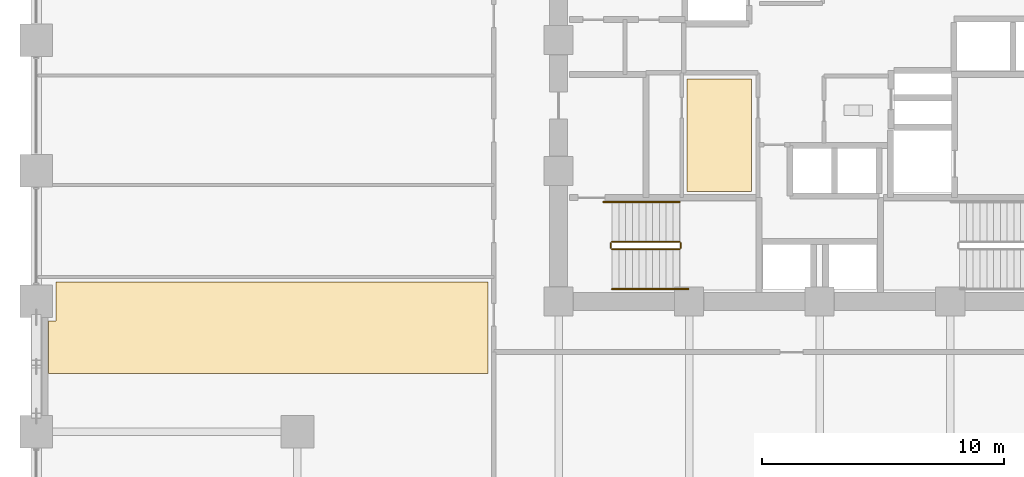
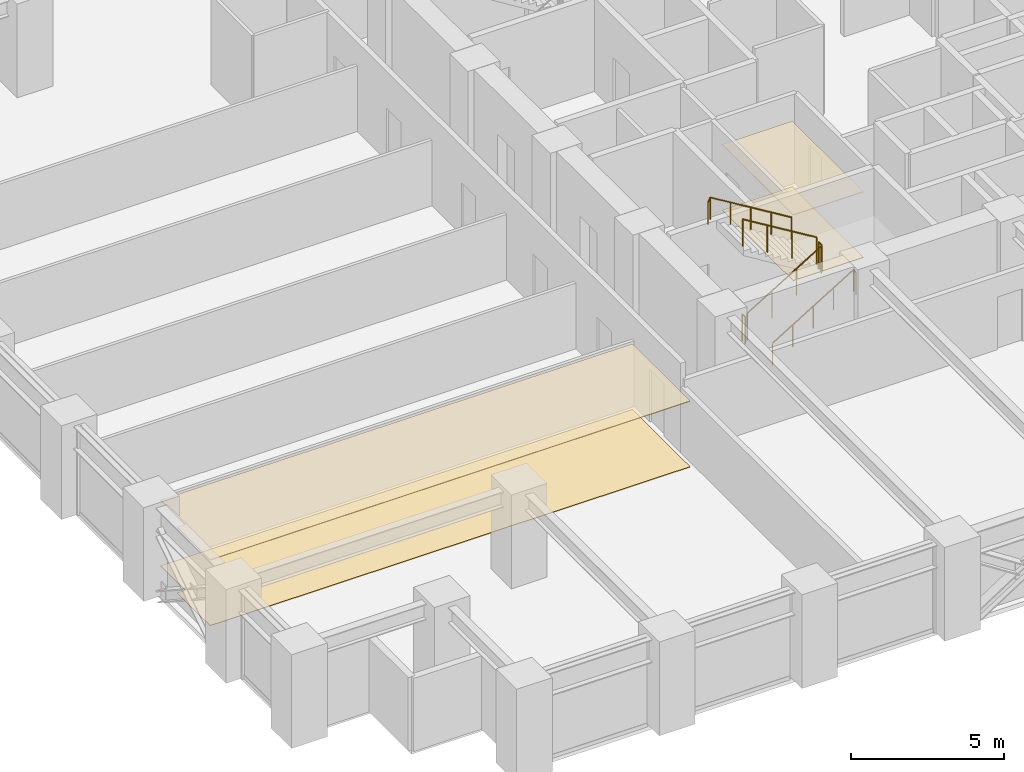
# One storey, part 23 of 25: 6 railings, 4 coverings.
"""IFC4 building model written with IfcOpenShell, lengths in metres."""

from ifc_helpers import new_model, si_unit, direction, frame, origin, origin_2d, place, context, subcontext, project, spatial, polyline, circle, outline, extrude, material, layer, layer_set, type_object, element, save


model = new_model("IFC4")

# Units and contexts
model_context = context("Model", 3, precision=1e-05, world=origin(), true_north=direction((0.0, 1.0)))
body_context = subcontext(model_context, "Body", "Model", "MODEL_VIEW")
ifc_project = project(units=[si_unit("LENGTHUNIT", "METRE"), si_unit("AREAUNIT", "SQUARE_METRE"), si_unit("VOLUMEUNIT", "CUBIC_METRE"), si_unit("PLANEANGLEUNIT", "RADIAN"), si_unit("MASSUNIT", "GRAM", prefix="KILO")], contexts=[model_context])

# Site, building, storey
site_placement = place(None, origin())
site = spatial("IfcSite", under=ifc_project, at=site_placement, CompositionType="ELEMENT")
building_placement = place(site_placement, origin())
building = spatial("IfcBuilding", under=site, at=building_placement, Name="Surkhivell Harbour Commons", CompositionType="ELEMENT")
storey_placement = place(building_placement, frame((0.0, 0.0, 33.75)))
storey = spatial("IfcBuildingStorey", under=building, at=storey_placement, Name="L08", CompositionType="ELEMENT", Elevation=33.75)

# Coverings
ifc_material_1 = material(Name="Perforated acoustic mineral-fibre ceiling tile", Category="other")
ifc_layer_1 = layer(ifc_material_1, 0.02490234375)
ifc_layer_set_1 = layer_set([ifc_layer_1], Name="Perforated acoustic mineral-fibre ceiling tile")
covering_type_1 = type_object("IfcCoveringType", Name="COV-CEIL-AC", PredefinedType="CEILING", material=ifc_layer_set_1)
covering_1_placement = place(storey_placement, frame((0.0, 0.0, 2.6240234375)))
element("IfcCovering", 1, at=covering_1_placement, inside=storey, type_object=covering_type_1, Name="L08 Suspended Acoustic Ceiling 1", PredefinedType="CEILING", context=body_context, shape_type="SweptSolid", body=[
    extrude(outline(polyline([(-5.47998046875, -6.260009765625), (-2.820068359375, -6.260009765625), (-2.820068359375, -1.60009765625), (-5.47998046875, -1.60009765625), (-5.47998046875, -6.260009765625)])), origin(), (0.0, 0.0, 1.0), 0.02490234375),
])
ifc_material_2 = material(Name="Moisture-resistant gypsum acoustic ceiling board", Category="other")
ifc_layer_2 = layer(ifc_material_2, 0.030029296875)
ifc_layer_set_2 = layer_set([ifc_layer_2], Name="Moisture-resistant gypsum acoustic ceiling board")
covering_type_2 = type_object("IfcCoveringType", Name="COV-CEIL-GYP", PredefinedType="CEILING", material=ifc_layer_set_2)
covering_2_placement = place(storey_placement, frame((0.0, 0.0, 2.618896484375)))
element("IfcCovering", 2, at=covering_2_placement, inside=storey, type_object=covering_type_2, Name="L08 Suspended Acoustic Ceiling 2", PredefinedType="CEILING", context=body_context, shape_type="SweptSolid", body=[
    extrude(outline(polyline([(-31.5849609375, -10.00244140625), (-31.5849609375, -11.614990234375), (-31.889892578125, -11.614990234375), (-31.889892578125, -13.780029296875), (-13.719970703125, -13.780029296875), (-13.719970703125, -10.00244140625), (-31.5849609375, -10.00244140625)])), origin(), (0.0, 0.0, 1.0), 0.030029296875),
])
ifc_material_3 = material(Name="Engineered acoustic oak timber flooring", Category="wood")
ifc_layer_3 = layer(ifc_material_3, 0.02001953125)
ifc_layer_set_3 = layer_set([ifc_layer_3], Name="Engineered acoustic oak timber flooring")
covering_type_3 = type_object("IfcCoveringType", Name="COV-FLR-TIM", PredefinedType="FLOORING", material=ifc_layer_set_3)
covering_3_placement = place(storey_placement, origin())
element("IfcCovering", 3, at=covering_3_placement, inside=storey, type_object=covering_type_3, Name="L08 Interior Floor Finish 1", PredefinedType="FLOORING", context=body_context, shape_type="SweptSolid", body=[
    extrude(outline(polyline([(-5.47998046875, -6.260009765625), (-2.820068359375, -6.260009765625), (-2.820068359375, -1.60009765625), (-5.47998046875, -1.60009765625), (-5.47998046875, -6.260009765625)])), origin(), (0.0, 0.0, 1.0), 0.02001953125),
])
covering_4_placement = place(storey_placement, origin())
element("IfcCovering", 4, at=covering_4_placement, inside=storey, type_object=covering_type_3, Name="L08 Interior Floor Finish 2", PredefinedType="FLOORING", context=body_context, shape_type="SweptSolid", body=[
    extrude(outline(polyline([(-31.5849609375, -10.00244140625), (-31.5849609375, -11.614990234375), (-31.889892578125, -11.614990234375), (-31.889892578125, -13.780029296875), (-13.719970703125, -13.780029296875), (-13.719970703125, -10.00244140625), (-31.5849609375, -10.00244140625)])), origin(), (0.0, 0.0, 1.0), 0.02001953125),
])

# Railings
ifc_material_4 = material(Name="Galvanised and painted steel S355 guard rail", Category="steel")
railing_type_1 = type_object("IfcRailingType", Name="RAL-ST-GRD1100", PredefinedType="GUARDRAIL", material=ifc_material_4)
railing_1_placement = place(storey_placement, frame((-8.590087890625, -8.639892578125, 0.17041015625)))
element("IfcRailing", 5, at=railing_1_placement, inside=storey, type_object=railing_type_1, Name="L08 ST3 stair guard 1", PredefinedType="GUARDRAIL", context=body_context, shape_type="SweptSolid", body=[
    extrude(circle(Radius=0.02392578125, at=origin_2d()), frame((0.0, 0.0, 1.076171875), z_axis=(0.854169791009, 0.0, 0.51999420009), x_axis=(0.0, 1.0, 0.0)), (0.0, 0.0, 1.0), 3.278076171875),
    extrude(circle(Radius=0.02099609375, at=origin_2d()), origin(), (0.0, 0.0, 1.0), 1.052001953125),
    extrude(circle(Radius=0.02099609375, at=origin_2d()), frame((0.933349609375, 0.0, 0.568115234375)), (0.0, 0.0, 1.0), 1.052001953125),
    extrude(circle(Radius=0.02099609375, at=origin_2d()), frame((1.86669921875, 0.0, 1.136474609375)), (0.0, 0.0, 1.0), 1.052001953125),
    extrude(circle(Radius=0.02099609375, at=origin_2d()), frame((2.800048828125, 0.0, 1.70458984375)), (0.0, 0.0, 1.0), 1.052001953125),
])
railing_2_placement = place(storey_placement, frame((-5.739990234375, -8.590087890625, 1.875)))
element("IfcRailing", 6, at=railing_2_placement, inside=storey, type_object=railing_type_1, Name="L08 ST3 stair guard 2", PredefinedType="GUARDRAIL", context=body_context, shape_type="SweptSolid", body=[
    extrude(circle(Radius=0.02392578125, at=origin_2d()), frame((0.0, 0.0, 1.076171875), z_axis=(0.0, 1.0, 0.0), x_axis=(-1.0, 0.0, 0.0)), (0.0, 0.0, 1.0), 0.2001953125),
    extrude(circle(Radius=0.02099609375, at=origin_2d()), origin(), (0.0, 0.0, 1.0), 1.052001953125),
    extrude(circle(Radius=0.02099609375, at=origin_2d()), frame((0.0, 0.2001953125, 0.0)), (0.0, 0.0, 1.0), 1.052001953125),
])
railing_3_placement = place(storey_placement, frame((-5.7900390625, -8.340087890625, 2.04541015625)))
element("IfcRailing", 7, at=railing_3_placement, inside=storey, type_object=railing_type_1, Name="L08 ST3 stair guard 3", PredefinedType="GUARDRAIL", context=body_context, shape_type="SweptSolid", body=[
    extrude(circle(Radius=0.02392578125, at=origin_2d()), frame((0.0, 0.0, 1.076171875), z_axis=(-0.854169791009, 0.0, 0.51999420009), x_axis=(0.0, -1.0, 0.0)), (0.0, 0.0, 1.0), 3.278076171875),
    extrude(circle(Radius=0.02099609375, at=origin_2d()), origin(), (0.0, 0.0, 1.0), 1.052001953125),
    extrude(circle(Radius=0.02099609375, at=origin_2d()), frame((-0.933349609375, 0.0, 0.568115234375)), (0.0, 0.0, 1.0), 1.052001953125),
    extrude(circle(Radius=0.02099609375, at=origin_2d()), frame((-1.86669921875, 0.0, 1.136474609375)), (0.0, 0.0, 1.0), 1.052001953125),
    extrude(circle(Radius=0.02099609375, at=origin_2d()), frame((-2.800048828125, 0.0, 1.70458984375)), (0.0, 0.0, 1.0), 1.052001953125),
])
railing_4_placement = place(storey_placement, frame((-8.639892578125, -8.590087890625, 0.0)))
element("IfcRailing", 8, at=railing_4_placement, inside=storey, type_object=railing_type_1, Name="L08 ST3 stair guard 4", PredefinedType="GUARDRAIL", context=body_context, shape_type="SweptSolid", body=[
    extrude(circle(Radius=0.02392578125, at=origin_2d()), frame((0.0, 0.0, 1.076171875), z_axis=(0.0, 1.0, 0.0), x_axis=(-1.0, 0.0, 0.0)), (0.0, 0.0, 1.0), 0.2001953125),
    extrude(circle(Radius=0.02099609375, at=origin_2d()), origin(), (0.0, 0.0, 1.0), 1.052001953125),
    extrude(circle(Radius=0.02099609375, at=origin_2d()), frame((0.0, 0.2001953125, 0.0)), (0.0, 0.0, 1.0), 1.052001953125),
])
ifc_material_5 = material(Name="Brushed stainless steel S355 handrail", Category="steel")
railing_type_2 = type_object("IfcRailingType", Name="RAL-ST-HND900", PredefinedType="HANDRAIL", material=ifc_material_5)
railing_5_placement = place(storey_placement, frame((-8.590087890625, -10.2900390625, 0.17041015625)))
element("IfcRailing", 9, at=railing_5_placement, inside=storey, type_object=railing_type_2, Name="L08 ST3 stair handrail 1", PredefinedType="HANDRAIL", context=body_context, shape_type="SweptSolid", body=[
    extrude(circle(Radius=0.02392578125, at=origin_2d()), frame((0.0, 0.0, 0.8759765625), z_axis=(0.854177636135, 0.0, 0.519981313056), x_axis=(0.0, 1.0, 0.0)), (0.0, 0.0, 1.0), 3.60595703125),
    extrude(circle(Radius=0.02392578125, at=origin_2d()), frame((3.080078125, 0.0, 2.7509765625), z_axis=(0.425297416671, 0.0, -0.905053648892), x_axis=(0.0, 1.0, 0.0)), (0.0, 0.0, 1.0), 0.188232421875),
    extrude(circle(Radius=0.02099609375, at=origin_2d()), origin(), (0.0, 0.0, 1.0), 0.851806640625),
    extrude(circle(Radius=0.02099609375, at=origin_2d()), frame((0.77001953125, 0.0, 0.46875)), (0.0, 0.0, 1.0), 0.851806640625),
    extrude(circle(Radius=0.02099609375, at=origin_2d()), frame((1.5400390625, 0.0, 0.9375)), (0.0, 0.0, 1.0), 0.851806640625),
    extrude(circle(Radius=0.02099609375, at=origin_2d()), frame((2.31005859375, 0.0, 1.40625)), (0.0, 0.0, 1.0), 0.851806640625),
    extrude(circle(Radius=0.02099609375, at=origin_2d()), frame((3.080078125, 0.0, 1.875)), (0.0, 0.0, 1.0), 0.851806640625),
    extrude(circle(Radius=0.02099609375, at=origin_2d()), frame((3.16015625, 0.0, 1.70458984375)), (0.0, 0.0, 1.0), 0.851806640625),
])
railing_6_placement = place(storey_placement, frame((-5.7900390625, -6.68994140625, 2.04541015625)))
element("IfcRailing", 10, at=railing_6_placement, inside=storey, type_object=railing_type_2, Name="L08 ST3 stair handrail 2", PredefinedType="HANDRAIL", context=body_context, shape_type="SweptSolid", body=[
    extrude(circle(Radius=0.02392578125, at=origin_2d()), frame((0.0, 0.0, 0.8759765625), z_axis=(-0.854177636135, 0.0, 0.519981313056), x_axis=(0.0, -1.0, 0.0)), (0.0, 0.0, 1.0), 3.60595703125),
    extrude(circle(Radius=0.02392578125, at=origin_2d()), frame((-3.080078125, 0.0, 2.7509765625), z_axis=(-0.424234432967, 0.0, -0.905552398199), x_axis=(0.0, -1.0, 0.0)), (0.0, 0.0, 1.0), 0.188232421875),
    extrude(circle(Radius=0.02099609375, at=origin_2d()), origin(), (0.0, 0.0, 1.0), 0.851806640625),
    extrude(circle(Radius=0.02099609375, at=origin_2d()), frame((-0.77001953125, 0.0, 0.46875)), (0.0, 0.0, 1.0), 0.851806640625),
    extrude(circle(Radius=0.02099609375, at=origin_2d()), frame((-1.5400390625, 0.0, 0.9375)), (0.0, 0.0, 1.0), 0.851806640625),
    extrude(circle(Radius=0.02099609375, at=origin_2d()), frame((-2.31005859375, 0.0, 1.40625)), (0.0, 0.0, 1.0), 0.851806640625),
    extrude(circle(Radius=0.02099609375, at=origin_2d()), frame((-3.080078125, 0.0, 1.875)), (0.0, 0.0, 1.0), 0.851806640625),
    extrude(circle(Radius=0.02099609375, at=origin_2d()), frame((-3.159912109375, 0.0, 1.70458984375)), (0.0, 0.0, 1.0), 0.851806640625),
])

save(model, "model.ifc")
